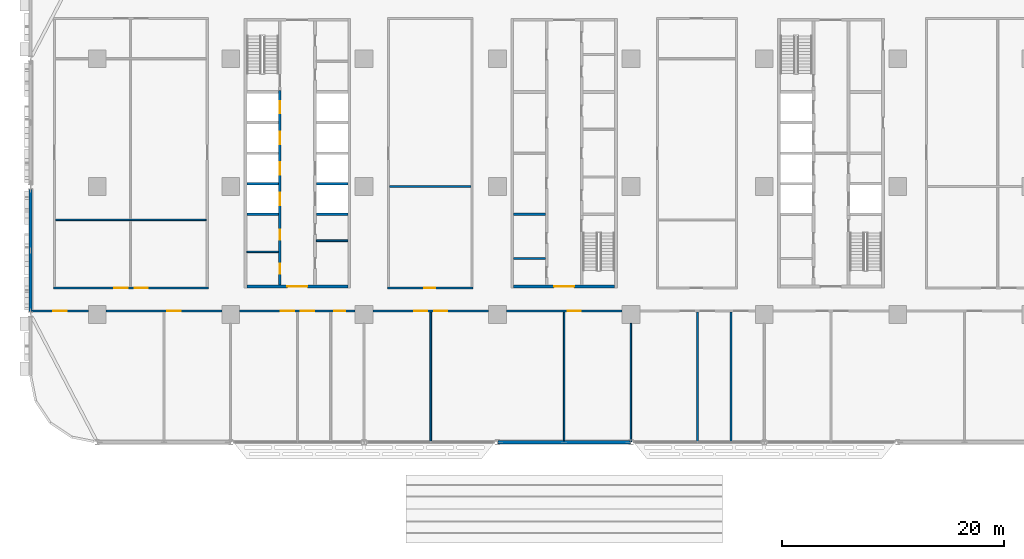
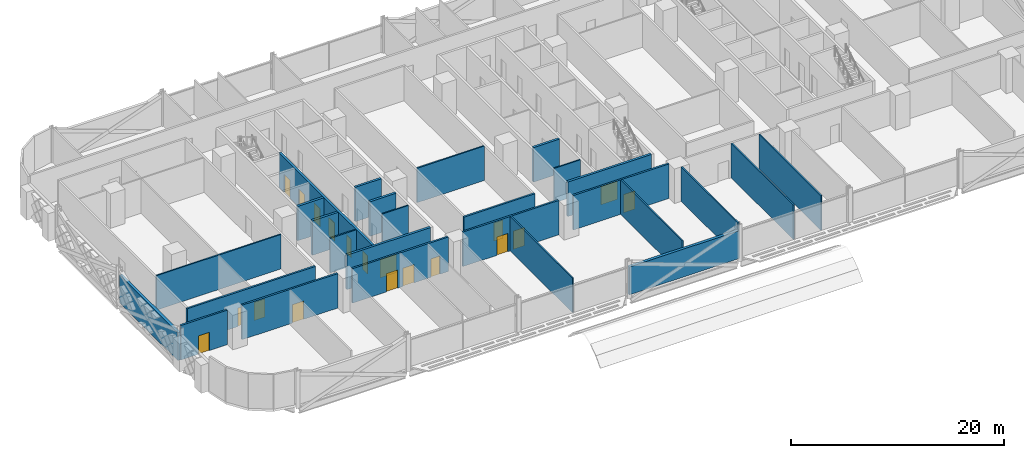
# One storey, part 9 of 26: 27 walls, 19 doors, 19 openings.
"""IFC4 building model written with IfcOpenShell, lengths in metres."""

from ifc_helpers import new_model, si_unit, direction, frame, frame_2d, origin, place, context, subcontext, project, spatial, rectangle, extrude, material, layer, layer_set, type_object, element, fill, save


model = new_model("IFC4")

# Units and contexts
model_context = context("Model", 3, precision=1e-05, world=origin(), true_north=direction((0.0, 1.0)))
body_context = subcontext(model_context, "Body", "Model", "MODEL_VIEW")
ifc_project = project(units=[si_unit("LENGTHUNIT", "METRE"), si_unit("AREAUNIT", "SQUARE_METRE"), si_unit("VOLUMEUNIT", "CUBIC_METRE"), si_unit("PLANEANGLEUNIT", "RADIAN"), si_unit("MASSUNIT", "GRAM", prefix="KILO")], contexts=[model_context])

# Site, building, storey
site_placement = place(None, origin())
site = spatial("IfcSite", under=ifc_project, at=site_placement, CompositionType="ELEMENT")
building_placement = place(site_placement, origin())
building = spatial("IfcBuilding", under=site, at=building_placement, Name="Mahtab Terrace Research Tower", CompositionType="ELEMENT")
storey_placement = place(building_placement, frame((0.0, 0.0, 15.800048828125)))
storey = spatial("IfcBuildingStorey", under=building, at=storey_placement, Name="L03", CompositionType="ELEMENT", Elevation=15.800048828125)

# Walls
ifc_material_1 = material(Name="Gypsum board partition")
ifc_layer_1 = layer(ifc_material_1, 0.14990234375)
ifc_layer_set_1 = layer_set([ifc_layer_1], Name="Core partition 150")
wall_type_1 = type_object("IfcWallType", Name="Core partition 150", PredefinedType="PARTITIONING", material=ifc_layer_set_1)
for number, where, z_axis, x_axis, name in (
    (1, (-28.550048828125, -5.875, 0.0), (0.0, 0.0, 1.0), (1.0, 0.0, 0.0), "Core wall A pWS-888"),
    (2, (-22.300048828125, -4.875, 0.0), (0.0, 0.0, 1.0), (1.0, 0.0, 0.0), "Core wall A pES-788"),
    (3, (-4.550048828125, -6.47509765625, 0.0), (0.0, 0.0, 1.0), (1.0, 0.0, 0.0), "Core wall B pWS-948"),
):
    element("IfcWall", number, at=place(storey_placement, frame(where, z_axis=z_axis, x_axis=x_axis)), inside=storey, type_object=wall_type_1, Name=name, PredefinedType="PARTITIONING", context=body_context, shape_type="SweptSolid", body=[
        extrude(rectangle(XDim=2.85009765625, YDim=0.14990234375, at=frame_2d((1.425048828125, 0.0))), origin(), (0.0, 0.0, 1.0), 3.9599609375),
    ])

# Wall, opening, door
ifc_material_2 = material(Name="Concrete C70/85", Category="concrete")
ifc_layer_2 = layer(ifc_material_2, 0.25)
ifc_layer_set_2 = layer_set([ifc_layer_2], Name="Core wall 250")
wall_type_2 = type_object("IfcWallType", Name="Core wall 250", PredefinedType="SOLIDWALL", material=ifc_layer_set_2)
wall_1_placement = place(storey_placement, frame((-19.449951171875, -9.0, 0.0), z_axis=(0.0, 0.0, 1.0), x_axis=(-1.0, 0.0, 0.0)))
wall_1 = element("IfcWall", 4, at=wall_1_placement, inside=storey, type_object=wall_type_2, Name="Core wall A endS", PredefinedType="SOLIDWALL", context=body_context, shape_type="SweptSolid", body=[
    extrude(rectangle(XDim=9.10009765625, YDim=0.25, at=frame_2d((4.550048828125, 0.0))), origin(), (0.0, 0.0, 1.0), 3.9599609375),
])
opening_1_placement = place(wall_1_placement, frame((3.64990234375, 0.0, 0.0)))
opening_1 = element("IfcOpeningElement", 5, at=opening_1_placement, cuts=wall_1, Name="Opening A-S1", PredefinedType="OPENING", context=body_context, shape_type="SweptSolid", body=[
    extrude(rectangle(XDim=1.800048828125, YDim=2.10009765625, at=frame_2d((0.89990234375, 1.050048828125))), frame((0.0, 0.135009765625, 0.0), z_axis=(0.0, -1.0, 0.0), x_axis=(1.0, 0.0, 0.0)), (0.0, 0.0, 1.0), 0.27001953125),
])
ifc_material_3 = material(Name="Steel fire door", Category="steel")
door_type_1 = type_object("IfcDoorType", Name="Lobby double door 1800x2100 1 HR", OperationType="DOUBLE_DOOR_SINGLE_SWING", PredefinedType="DOOR", material=ifc_material_3)
door_1_placement = place(opening_1_placement, origin())
door_1 = element("IfcDoor", 6, at=door_1_placement, inside=storey, type_object=door_type_1, Name="Core entrance door A S", OperationType="DOUBLE_DOOR_SINGLE_SWING", OverallHeight=2.10009765625, OverallWidth=1.800048828125, PredefinedType="DOOR", context=body_context, shape_type="SweptSolid", body=[
    extrude(rectangle(XDim=1.800048828125, YDim=2.10009765625, at=frame_2d((0.89990234375, 1.050048828125))), frame((0.0, 0.02490234375, 0.0), z_axis=(0.0, -1.0, 0.0), x_axis=(1.0, 0.0, 0.0)), (0.0, 0.0, 1.0), 0.050048828125),
])
fill(opening_1, door_1)

# Wall, openings, doors
wall_2_placement = place(storey_placement, frame((-25.574951171875, -8.875, 0.0), z_axis=(0.0, 0.0, 1.0), x_axis=(0.0, 1.0, 0.0)))
wall_2 = element("IfcWall", 7, at=wall_2_placement, inside=storey, type_object=wall_type_2, Name="Core wall A innerWSL", PredefinedType="SOLIDWALL", context=body_context, shape_type="SweptSolid", body=[
    extrude(rectangle(XDim=17.5, YDim=0.25, at=frame_2d((8.75, 0.0))), origin(), (0.0, 0.0, 1.0), 3.9599609375),
])
opening_2_placement = place(wall_2_placement, frame((7.199951171875, 0.0, 0.0)))
opening_2 = element("IfcOpeningElement", 8, at=opening_2_placement, cuts=wall_2, Name="Opening LD01-L03", PredefinedType="OPENING", context=body_context, shape_type="SweptSolid", body=[
    extrude(rectangle(XDim=1.10009765625, YDim=2.10009765625, at=frame_2d((0.550048828125, 1.050048828125))), frame((0.0, 0.135009765625, 0.0), z_axis=(0.0, -1.0, 0.0), x_axis=(1.0, 0.0, 0.0)), (0.0, 0.0, 1.0), 0.27001953125),
])
opening_3_placement = place(wall_2_placement, frame((9.949951171875, 0.0, 0.0)))
opening_3 = element("IfcOpeningElement", 9, at=opening_3_placement, cuts=wall_2, Name="Opening LD02-L03", PredefinedType="OPENING", context=body_context, shape_type="SweptSolid", body=[
    extrude(rectangle(XDim=1.10009765625, YDim=2.10009765625, at=frame_2d((0.550048828125, 1.050048828125))), frame((0.0, 0.135009765625, 0.0), z_axis=(0.0, -1.0, 0.0), x_axis=(1.0, 0.0, 0.0)), (0.0, 0.0, 1.0), 0.27001953125),
])
opening_4_placement = place(wall_2_placement, frame((12.699951171875, 0.0, 0.0)))
opening_4 = element("IfcOpeningElement", 10, at=opening_4_placement, cuts=wall_2, Name="Opening LD03-L03", PredefinedType="OPENING", context=body_context, shape_type="SweptSolid", body=[
    extrude(rectangle(XDim=1.10009765625, YDim=2.10009765625, at=frame_2d((0.550048828125, 1.050048828125))), frame((0.0, 0.135009765625, 0.0), z_axis=(0.0, -1.0, 0.0), x_axis=(1.0, 0.0, 0.0)), (0.0, 0.0, 1.0), 0.27001953125),
])
opening_5_placement = place(wall_2_placement, frame((15.449951171875, 0.0, 0.0)))
opening_5 = element("IfcOpeningElement", 11, at=opening_5_placement, cuts=wall_2, Name="Opening LD04-L03", PredefinedType="OPENING", context=body_context, shape_type="SweptSolid", body=[
    extrude(rectangle(XDim=1.10009765625, YDim=2.10009765625, at=frame_2d((0.550048828125, 1.050048828125))), frame((0.0, 0.135009765625, 0.0), z_axis=(0.0, -1.0, 0.0), x_axis=(1.0, 0.0, 0.0)), (0.0, 0.0, 1.0), 0.27001953125),
])
opening_6_placement = place(wall_2_placement, frame((1.012451171875, 0.0, 0.0)))
opening_6 = element("IfcOpeningElement", 12, at=opening_6_placement, cuts=wall_2, Name="Opening A-R1", PredefinedType="OPENING", context=body_context, shape_type="SweptSolid", body=[
    extrude(rectangle(XDim=0.89990234375, YDim=2.10009765625, at=frame_2d((0.449951171875, 1.050048828125))), frame((0.0, 0.135009765625, 0.0), z_axis=(0.0, -1.0, 0.0), x_axis=(1.0, 0.0, 0.0)), (0.0, 0.0, 1.0), 0.27001953125),
])
opening_7_placement = place(wall_2_placement, frame((4.08740234375, 0.0, 0.0)))
opening_7 = element("IfcOpeningElement", 13, at=opening_7_placement, cuts=wall_2, Name="Opening A-R2", PredefinedType="OPENING", context=body_context, shape_type="SweptSolid", body=[
    extrude(rectangle(XDim=0.89990234375, YDim=2.10009765625, at=frame_2d((0.449951171875, 1.050048828125))), frame((0.0, 0.135009765625, 0.0), z_axis=(0.0, -1.0, 0.0), x_axis=(1.0, 0.0, 0.0)), (0.0, 0.0, 1.0), 0.27001953125),
])
ifc_material_4 = material(Name="Stainless steel AISI 304", Category="steel")
door_type_2 = type_object("IfcDoorType", Name="Landing door 1100x2100", OperationType="DOUBLE_DOOR_SLIDING", PredefinedType="DOOR", material=ifc_material_4)
door_2_placement = place(opening_2_placement, origin())
door_2 = element("IfcDoor", 14, at=door_2_placement, inside=storey, type_object=door_type_2, Name="Landing door LR1 L03", OperationType="DOUBLE_DOOR_SLIDING", OverallHeight=2.10009765625, OverallWidth=1.10009765625, PredefinedType="DOOR", context=body_context, shape_type="SweptSolid", body=[
    extrude(rectangle(XDim=1.10009765625, YDim=2.10009765625, at=frame_2d((0.550048828125, 1.050048828125))), frame((0.0, 0.02490234375, 0.0), z_axis=(0.0, -1.0, 0.0), x_axis=(1.0, 0.0, 0.0)), (0.0, 0.0, 1.0), 0.050048828125),
])
fill(opening_2, door_2)
door_3_placement = place(opening_3_placement, origin())
door_3 = element("IfcDoor", 15, at=door_3_placement, inside=storey, type_object=door_type_2, Name="Landing door LR2 L03", OperationType="DOUBLE_DOOR_SLIDING", OverallHeight=2.10009765625, OverallWidth=1.10009765625, PredefinedType="DOOR", context=body_context, shape_type="SweptSolid", body=[
    extrude(rectangle(XDim=1.10009765625, YDim=2.10009765625, at=frame_2d((0.550048828125, 1.050048828125))), frame((0.0, 0.02490234375, 0.0), z_axis=(0.0, -1.0, 0.0), x_axis=(1.0, 0.0, 0.0)), (0.0, 0.0, 1.0), 0.050048828125),
])
fill(opening_3, door_3)
door_4_placement = place(opening_4_placement, origin())
door_4 = element("IfcDoor", 16, at=door_4_placement, inside=storey, type_object=door_type_2, Name="Landing door LR3 L03", OperationType="DOUBLE_DOOR_SLIDING", OverallHeight=2.10009765625, OverallWidth=1.10009765625, PredefinedType="DOOR", context=body_context, shape_type="SweptSolid", body=[
    extrude(rectangle(XDim=1.10009765625, YDim=2.10009765625, at=frame_2d((0.550048828125, 1.050048828125))), frame((0.0, 0.02490234375, 0.0), z_axis=(0.0, -1.0, 0.0), x_axis=(1.0, 0.0, 0.0)), (0.0, 0.0, 1.0), 0.050048828125),
])
fill(opening_4, door_4)
door_5_placement = place(opening_5_placement, origin())
door_5 = element("IfcDoor", 17, at=door_5_placement, inside=storey, type_object=door_type_2, Name="Landing door LR4 L03", OperationType="DOUBLE_DOOR_SLIDING", OverallHeight=2.10009765625, OverallWidth=1.10009765625, PredefinedType="DOOR", context=body_context, shape_type="SweptSolid", body=[
    extrude(rectangle(XDim=1.10009765625, YDim=2.10009765625, at=frame_2d((0.550048828125, 1.050048828125))), frame((0.0, 0.02490234375, 0.0), z_axis=(0.0, -1.0, 0.0), x_axis=(1.0, 0.0, 0.0)), (0.0, 0.0, 1.0), 0.050048828125),
])
fill(opening_5, door_5)
door_type_3 = type_object("IfcDoorType", Name="Room door 900x2100 1 HR", OperationType="NOTDEFINED", PredefinedType="DOOR", material=ifc_material_3)
door_6_placement = place(opening_6_placement, origin())
door_6 = element("IfcDoor", 18, at=door_6_placement, inside=storey, type_object=door_type_3, Name="Staff WC door", OperationType="SINGLE_SWING_LEFT", OverallHeight=2.10009765625, OverallWidth=0.89990234375, PredefinedType="DOOR", context=body_context, shape_type="SweptSolid", body=[
    extrude(rectangle(XDim=0.89990234375, YDim=2.10009765625, at=frame_2d((0.449951171875, 1.050048828125))), frame((0.0, 0.02490234375, 0.0), z_axis=(0.0, -1.0, 0.0), x_axis=(1.0, 0.0, 0.0)), (0.0, 0.0, 1.0), 0.050048828125),
])
fill(opening_6, door_6)
door_7_placement = place(opening_7_placement, origin())
door_7 = element("IfcDoor", 19, at=door_7_placement, inside=storey, type_object=door_type_3, Name="Accessible WC door", OperationType="SINGLE_SWING_RIGHT", OverallHeight=2.10009765625, OverallWidth=0.89990234375, PredefinedType="DOOR", context=body_context, shape_type="SweptSolid", body=[
    extrude(rectangle(XDim=0.89990234375, YDim=2.10009765625, at=frame_2d((0.449951171875, 1.050048828125))), frame((0.0, 0.02490234375, 0.0), z_axis=(0.0, -1.0, 0.0), x_axis=(1.0, 0.0, 0.0)), (0.0, 0.0, 1.0), 0.050048828125),
])
fill(opening_7, door_7)

# Walls
for number, where, z_axis, x_axis, name in (
    (20, (-28.550048828125, -2.5, 0.0), (0.0, 0.0, 1.0), (1.0, 0.0, 0.0), "Core wall A divW0"),
    (21, (-28.550048828125, 0.25, 0.0), (0.0, 0.0, 1.0), (1.0, 0.0, 0.0), "Core wall A divW1"),
    (22, (-22.300048828125, -2.5, 0.0), (0.0, 0.0, 1.0), (1.0, 0.0, 0.0), "Core wall A divE0"),
    (23, (-22.300048828125, 0.25, 0.0), (0.0, 0.0, 1.0), (1.0, 0.0, 0.0), "Core wall A divE1"),
):
    element("IfcWall", number, at=place(storey_placement, frame(where, z_axis=z_axis, x_axis=x_axis)), inside=storey, type_object=wall_type_2, Name=name, PredefinedType="SOLIDWALL", context=body_context, shape_type="SweptSolid", body=[
        extrude(rectangle(XDim=2.85009765625, YDim=0.25, at=frame_2d((1.425048828125, 0.0))), origin(), (0.0, 0.0, 1.0), 3.9599609375),
    ])

# Wall, opening, door
wall_3_placement = place(storey_placement, frame((4.550048828125, -9.0, 0.0), z_axis=(0.0, 0.0, 1.0), x_axis=(-1.0, 0.0, 0.0)))
wall_3 = element("IfcWall", 24, at=wall_3_placement, inside=storey, type_object=wall_type_2, Name="Core wall B endS", PredefinedType="SOLIDWALL", context=body_context, shape_type="SweptSolid", body=[
    extrude(rectangle(XDim=9.10009765625, YDim=0.25, at=frame_2d((4.550048828125, 0.0))), origin(), (0.0, 0.0, 1.0), 3.9599609375),
])
opening_8_placement = place(wall_3_placement, frame((3.64990234375, 0.0, 0.0)))
opening_8 = element("IfcOpeningElement", 25, at=opening_8_placement, cuts=wall_3, Name="Opening B-S1", PredefinedType="OPENING", context=body_context, shape_type="SweptSolid", body=[
    extrude(rectangle(XDim=1.800048828125, YDim=2.10009765625, at=frame_2d((0.89990234375, 1.050048828125))), frame((0.0, 0.135009765625, 0.0), z_axis=(0.0, -1.0, 0.0), x_axis=(1.0, 0.0, 0.0)), (0.0, 0.0, 1.0), 0.27001953125),
])
door_8_placement = place(opening_8_placement, origin())
door_8 = element("IfcDoor", 26, at=door_8_placement, inside=storey, type_object=door_type_1, Name="Core entrance door B S", OperationType="DOUBLE_DOOR_SINGLE_SWING", OverallHeight=2.10009765625, OverallWidth=1.800048828125, PredefinedType="DOOR", context=body_context, shape_type="SweptSolid", body=[
    extrude(rectangle(XDim=1.800048828125, YDim=2.10009765625, at=frame_2d((0.89990234375, 1.050048828125))), frame((0.0, 0.02490234375, 0.0), z_axis=(0.0, -1.0, 0.0), x_axis=(1.0, 0.0, 0.0)), (0.0, 0.0, 1.0), 0.050048828125),
])
fill(opening_8, door_8)

# Walls
wall_4_placement = place(storey_placement, frame((-4.550048828125, -2.5, 0.0), z_axis=(0.0, 0.0, 1.0), x_axis=(1.0, 0.0, 0.0)))
element("IfcWall", 27, at=wall_4_placement, inside=storey, type_object=wall_type_2, Name="Core wall B divW0", PredefinedType="SOLIDWALL", context=body_context, shape_type="SweptSolid", body=[
    extrude(rectangle(XDim=2.85009765625, YDim=0.25, at=frame_2d((1.425048828125, 0.0))), origin(), (0.0, 0.0, 1.0), 3.9599609375),
])
ifc_material_5 = material(Name="Black aluminium cladding panel", Category="aluminium")
ifc_layer_3 = layer(ifc_material_5, 0.300048828125)
ifc_layer_set_3 = layer_set([ifc_layer_3], Name="Opaque facade wall 300")
wall_type_3 = type_object("IfcWallType", Name="Opaque facade wall 300", PredefinedType="NOTDEFINED", material=ifc_layer_set_3)
wall_5_placement = place(storey_placement, frame((-48.0, -0.2490234375, 0.0), z_axis=(0.0, 0.0, 1.0), x_axis=(0.0, -1.0, 0.0)))
element("IfcWall", 28, at=wall_5_placement, inside=storey, type_object=wall_type_3, Name="Opaque facade wall L03 W16", PredefinedType="NOTDEFINED", context=body_context, shape_type="SweptSolid", body=[
    extrude(rectangle(XDim=11.001953125, YDim=0.300048828125, at=frame_2d((5.5009765625, 0.0))), origin(), (0.0, 0.0, 1.0), 3.203125),
])
wall_6_placement = place(storey_placement, frame((-5.97216796875, -23.0, 0.0), z_axis=(0.0, 0.0, 1.0), x_axis=(1.0, 0.0, 0.0)))
element("IfcWall", 29, at=wall_6_placement, inside=storey, type_object=wall_type_3, Name="Opaque facade wall L03 S25", PredefinedType="NOTDEFINED", context=body_context, shape_type="SweptSolid", body=[
    extrude(rectangle(XDim=11.9443359375, YDim=0.300048828125, at=frame_2d((5.97216796875, 0.0))), origin(), (0.0, 0.0, 1.0), 3.203125),
])

# Wall, opening, door
ifc_material_6 = material(Name="Gypsum board corridor wall on steel studs", Category="steel")
ifc_layer_4 = layer(ifc_material_6, 0.199951171875)
ifc_layer_set_4 = layer_set([ifc_layer_4], Name="WALL CORRIDOR 200")
wall_type_4 = type_object("IfcWallType", Name="WALL CORRIDOR 200", PredefinedType="PARTITIONING", material=ifc_layer_set_4)
wall_7_placement = place(storey_placement, frame((-47.85009765625, -11.199951171875, 0.0), z_axis=(0.0, 0.0, 1.0), x_axis=(1.0, 0.0, 0.0)))
wall_7 = element("IfcWall", 30, at=wall_7_placement, inside=storey, type_object=wall_type_4, Name="L03-W001", PredefinedType="PARTITIONING", context=body_context, shape_type="SweptSolid", body=[
    extrude(rectangle(XDim=5.050048828125, YDim=0.199951171875, at=frame_2d((2.52490234375, 0.0))), origin(), (0.0, 0.0, 1.0), 3.9599609375),
])
opening_9_placement = place(wall_7_placement, frame((1.89990234375, 0.0, 0.0)))
opening_9 = element("IfcOpeningElement", 31, at=opening_9_placement, cuts=wall_7, Name="Opening L03-101", PredefinedType="OPENING", context=body_context, shape_type="SweptSolid", body=[
    extrude(rectangle(XDim=1.199951171875, YDim=2.10009765625, at=frame_2d((0.60009765625, 1.050048828125))), frame((0.0, 0.10986328125, 0.0), z_axis=(0.0, -1.0, 0.0), x_axis=(1.0, 0.0, 0.0)), (0.0, 0.0, 1.0), 0.219970703125),
])
ifc_material_7 = material(Name="Timber door leaf in steel frame", Category="steel")
door_type_4 = type_object("IfcDoorType", Name="DOOR 1200X2100 FD30S", OperationType="SINGLE_SWING_LEFT", PredefinedType="DOOR", material=ifc_material_7)
door_9_placement = place(opening_9_placement, origin())
door_9 = element("IfcDoor", 32, at=door_9_placement, inside=storey, type_object=door_type_4, Name="Door L03-101", OperationType="SINGLE_SWING_RIGHT", OverallHeight=2.10009765625, OverallWidth=1.199951171875, PredefinedType="DOOR", context=body_context, shape_type="SweptSolid", body=[
    extrude(rectangle(XDim=1.199951171875, YDim=2.10009765625, at=frame_2d((0.60009765625, 1.050048828125))), frame((0.0, 0.02490234375, 0.0), z_axis=(0.0, -1.0, 0.0), x_axis=(1.0, 0.0, 0.0)), (0.0, 0.0, 1.0), 0.050048828125),
])
fill(opening_9, door_9)

wall_8_placement = place(storey_placement, frame((-41.199951171875, -11.199951171875, 0.0), z_axis=(0.0, 0.0, 1.0), x_axis=(1.0, 0.0, 0.0)))
wall_8 = element("IfcWall", 33, at=wall_8_placement, inside=storey, type_object=wall_type_4, Name="L03-W002", PredefinedType="PARTITIONING", context=body_context, shape_type="SweptSolid", body=[
    extrude(rectangle(XDim=10.39990234375, YDim=0.199951171875, at=frame_2d((5.199951171875, 0.0))), origin(), (0.0, 0.0, 1.0), 3.9599609375),
])
opening_10_placement = place(wall_8_placement, frame((5.5, 0.0, 0.0)))
opening_10 = element("IfcOpeningElement", 34, at=opening_10_placement, cuts=wall_8, Name="Opening L03-102", PredefinedType="OPENING", context=body_context, shape_type="SweptSolid", body=[
    extrude(rectangle(XDim=1.199951171875, YDim=2.10009765625, at=frame_2d((0.60009765625, 1.050048828125))), frame((0.0, 0.10986328125, 0.0), z_axis=(0.0, -1.0, 0.0), x_axis=(1.0, 0.0, 0.0)), (0.0, 0.0, 1.0), 0.219970703125),
])
door_10_placement = place(opening_10_placement, origin())
door_10 = element("IfcDoor", 35, at=door_10_placement, inside=storey, type_object=door_type_4, Name="Door L03-102", OperationType="SINGLE_SWING_LEFT", OverallHeight=2.10009765625, OverallWidth=1.199951171875, PredefinedType="DOOR", context=body_context, shape_type="SweptSolid", body=[
    extrude(rectangle(XDim=1.199951171875, YDim=2.10009765625, at=frame_2d((0.60009765625, 1.050048828125))), frame((0.0, 0.02490234375, 0.0), z_axis=(0.0, -1.0, 0.0), x_axis=(1.0, 0.0, 0.0)), (0.0, 0.0, 1.0), 0.050048828125),
])
fill(opening_10, door_10)

# Wall, openings, doors
wall_9_placement = place(storey_placement, frame((-29.199951171875, -11.199951171875, 0.0), z_axis=(0.0, 0.0, 1.0), x_axis=(1.0, 0.0, 0.0)))
wall_9 = element("IfcWall", 36, at=wall_9_placement, inside=storey, type_object=wall_type_4, Name="L03-W003", PredefinedType="PARTITIONING", context=body_context, shape_type="SweptSolid", body=[
    extrude(rectangle(XDim=10.39990234375, YDim=0.199951171875, at=frame_2d((5.199951171875, 0.0))), origin(), (0.0, 0.0, 1.0), 3.9599609375),
])
opening_11_placement = place(wall_9_placement, frame((3.699951171875, 0.0, 0.0)))
opening_11 = element("IfcOpeningElement", 37, at=opening_11_placement, cuts=wall_9, Name="Opening L03-103", PredefinedType="OPENING", context=body_context, shape_type="SweptSolid", body=[
    extrude(rectangle(XDim=1.199951171875, YDim=2.10009765625, at=frame_2d((0.60009765625, 1.050048828125))), frame((0.0, 0.10986328125, 0.0), z_axis=(0.0, -1.0, 0.0), x_axis=(1.0, 0.0, 0.0)), (0.0, 0.0, 1.0), 0.219970703125),
])
opening_12_placement = place(wall_9_placement, frame((5.5, 0.0, 0.0)))
opening_12 = element("IfcOpeningElement", 38, at=opening_12_placement, cuts=wall_9, Name="Opening L03-104", PredefinedType="OPENING", context=body_context, shape_type="SweptSolid", body=[
    extrude(rectangle(XDim=1.199951171875, YDim=2.10009765625, at=frame_2d((0.60009765625, 1.050048828125))), frame((0.0, 0.10986328125, 0.0), z_axis=(0.0, -1.0, 0.0), x_axis=(1.0, 0.0, 0.0)), (0.0, 0.0, 1.0), 0.219970703125),
])
opening_13_placement = place(wall_9_placement, frame((8.5, 0.0, 0.0)))
opening_13 = element("IfcOpeningElement", 39, at=opening_13_placement, cuts=wall_9, Name="Opening L03-105", PredefinedType="OPENING", context=body_context, shape_type="SweptSolid", body=[
    extrude(rectangle(XDim=1.0, YDim=2.10009765625, at=frame_2d((0.5, 1.050048828125))), frame((0.0, 0.10986328125, 0.0), z_axis=(0.0, -1.0, 0.0), x_axis=(1.0, 0.0, 0.0)), (0.0, 0.0, 1.0), 0.219970703125),
])
door_type_5 = type_object("IfcDoorType", Name="DOOR 1000X2100 FD30S", OperationType="SINGLE_SWING_LEFT", PredefinedType="DOOR", material=ifc_material_7)
door_11_placement = place(opening_13_placement, origin())
door_11 = element("IfcDoor", 40, at=door_11_placement, inside=storey, type_object=door_type_5, Name="Door L03-105", OperationType="SINGLE_SWING_LEFT", OverallHeight=2.10009765625, OverallWidth=1.0, PredefinedType="DOOR", context=body_context, shape_type="SweptSolid", body=[
    extrude(rectangle(XDim=1.0, YDim=2.10009765625, at=frame_2d((0.5, 1.050048828125))), frame((0.0, 0.02490234375, 0.0), z_axis=(0.0, -1.0, 0.0), x_axis=(1.0, 0.0, 0.0)), (0.0, 0.0, 1.0), 0.050048828125),
])
fill(opening_13, door_11)
door_12_placement = place(opening_11_placement, origin())
door_12 = element("IfcDoor", 41, at=door_12_placement, inside=storey, type_object=door_type_4, Name="Door L03-103", OperationType="SINGLE_SWING_RIGHT", OverallHeight=2.10009765625, OverallWidth=1.199951171875, PredefinedType="DOOR", context=body_context, shape_type="SweptSolid", body=[
    extrude(rectangle(XDim=1.199951171875, YDim=2.10009765625, at=frame_2d((0.60009765625, 1.050048828125))), frame((0.0, 0.02490234375, 0.0), z_axis=(0.0, -1.0, 0.0), x_axis=(1.0, 0.0, 0.0)), (0.0, 0.0, 1.0), 0.050048828125),
])
fill(opening_11, door_12)
door_13_placement = place(opening_12_placement, origin())
door_13 = element("IfcDoor", 42, at=door_13_placement, inside=storey, type_object=door_type_4, Name="Door L03-104", OperationType="SINGLE_SWING_LEFT", OverallHeight=2.10009765625, OverallWidth=1.199951171875, PredefinedType="DOOR", context=body_context, shape_type="SweptSolid", body=[
    extrude(rectangle(XDim=1.199951171875, YDim=2.10009765625, at=frame_2d((0.60009765625, 1.050048828125))), frame((0.0, 0.02490234375, 0.0), z_axis=(0.0, -1.0, 0.0), x_axis=(1.0, 0.0, 0.0)), (0.0, 0.0, 1.0), 0.050048828125),
])
fill(opening_12, door_13)

wall_10_placement = place(storey_placement, frame((-17.199951171875, -11.199951171875, 0.0), z_axis=(0.0, 0.0, 1.0), x_axis=(1.0, 0.0, 0.0)))
wall_10 = element("IfcWall", 43, at=wall_10_placement, inside=storey, type_object=wall_type_4, Name="L03-W004", PredefinedType="PARTITIONING", context=body_context, shape_type="SweptSolid", body=[
    extrude(rectangle(XDim=10.39990234375, YDim=0.199951171875, at=frame_2d((5.199951171875, 0.0))), origin(), (0.0, 0.0, 1.0), 3.9599609375),
])
opening_14_placement = place(wall_10_placement, frame((3.699951171875, 0.0, 0.0)))
opening_14 = element("IfcOpeningElement", 44, at=opening_14_placement, cuts=wall_10, Name="Opening L03-106", PredefinedType="OPENING", context=body_context, shape_type="SweptSolid", body=[
    extrude(rectangle(XDim=1.199951171875, YDim=2.10009765625, at=frame_2d((0.60009765625, 1.050048828125))), frame((0.0, 0.10986328125, 0.0), z_axis=(0.0, -1.0, 0.0), x_axis=(1.0, 0.0, 0.0)), (0.0, 0.0, 1.0), 0.219970703125),
])
opening_15_placement = place(wall_10_placement, frame((5.5, 0.0, 0.0)))
opening_15 = element("IfcOpeningElement", 45, at=opening_15_placement, cuts=wall_10, Name="Opening L03-107", PredefinedType="OPENING", context=body_context, shape_type="SweptSolid", body=[
    extrude(rectangle(XDim=1.199951171875, YDim=2.10009765625, at=frame_2d((0.60009765625, 1.050048828125))), frame((0.0, 0.10986328125, 0.0), z_axis=(0.0, -1.0, 0.0), x_axis=(1.0, 0.0, 0.0)), (0.0, 0.0, 1.0), 0.219970703125),
])
door_14_placement = place(opening_14_placement, origin())
door_14 = element("IfcDoor", 46, at=door_14_placement, inside=storey, type_object=door_type_4, Name="Door L03-106", OperationType="SINGLE_SWING_RIGHT", OverallHeight=2.10009765625, OverallWidth=1.199951171875, PredefinedType="DOOR", context=body_context, shape_type="SweptSolid", body=[
    extrude(rectangle(XDim=1.199951171875, YDim=2.10009765625, at=frame_2d((0.60009765625, 1.050048828125))), frame((0.0, 0.02490234375, 0.0), z_axis=(0.0, -1.0, 0.0), x_axis=(1.0, 0.0, 0.0)), (0.0, 0.0, 1.0), 0.050048828125),
])
fill(opening_14, door_14)
door_15_placement = place(opening_15_placement, origin())
door_15 = element("IfcDoor", 47, at=door_15_placement, inside=storey, type_object=door_type_4, Name="Door L03-107", OperationType="SINGLE_SWING_LEFT", OverallHeight=2.10009765625, OverallWidth=1.199951171875, PredefinedType="DOOR", context=body_context, shape_type="SweptSolid", body=[
    extrude(rectangle(XDim=1.199951171875, YDim=2.10009765625, at=frame_2d((0.60009765625, 1.050048828125))), frame((0.0, 0.02490234375, 0.0), z_axis=(0.0, -1.0, 0.0), x_axis=(1.0, 0.0, 0.0)), (0.0, 0.0, 1.0), 0.050048828125),
])
fill(opening_15, door_15)

# Wall, opening, door
wall_11_placement = place(storey_placement, frame((-5.199951171875, -11.199951171875, 0.0), z_axis=(0.0, 0.0, 1.0), x_axis=(1.0, 0.0, 0.0)))
wall_11 = element("IfcWall", 48, at=wall_11_placement, inside=storey, type_object=wall_type_4, Name="L03-W005", PredefinedType="PARTITIONING", context=body_context, shape_type="SweptSolid", body=[
    extrude(rectangle(XDim=10.39990234375, YDim=0.199951171875, at=frame_2d((5.199951171875, 0.0))), origin(), (0.0, 0.0, 1.0), 3.9599609375),
])
opening_16_placement = place(wall_11_placement, frame((5.5, 0.0, 0.0)))
opening_16 = element("IfcOpeningElement", 49, at=opening_16_placement, cuts=wall_11, Name="Opening L03-108", PredefinedType="OPENING", context=body_context, shape_type="SweptSolid", body=[
    extrude(rectangle(XDim=1.199951171875, YDim=2.10009765625, at=frame_2d((0.60009765625, 1.050048828125))), frame((0.0, 0.10986328125, 0.0), z_axis=(0.0, -1.0, 0.0), x_axis=(1.0, 0.0, 0.0)), (0.0, 0.0, 1.0), 0.219970703125),
])
door_16_placement = place(opening_16_placement, origin())
door_16 = element("IfcDoor", 50, at=door_16_placement, inside=storey, type_object=door_type_4, Name="Door L03-108", OperationType="SINGLE_SWING_LEFT", OverallHeight=2.10009765625, OverallWidth=1.199951171875, PredefinedType="DOOR", context=body_context, shape_type="SweptSolid", body=[
    extrude(rectangle(XDim=1.199951171875, YDim=2.10009765625, at=frame_2d((0.60009765625, 1.050048828125))), frame((0.0, 0.02490234375, 0.0), z_axis=(0.0, -1.0, 0.0), x_axis=(1.0, 0.0, 0.0)), (0.0, 0.0, 1.0), 0.050048828125),
])
fill(opening_16, door_16)

# Wall, openings, doors
wall_12_placement = place(storey_placement, frame((-45.949951171875, -9.125, 0.0), z_axis=(0.0, 0.0, 1.0), x_axis=(1.0, 0.0, 0.0)))
wall_12 = element("IfcWall", 51, at=wall_12_placement, inside=storey, type_object=wall_type_4, Name="L03-W010", PredefinedType="PARTITIONING", context=body_context, shape_type="SweptSolid", body=[
    extrude(rectangle(XDim=13.949951171875, YDim=0.199951171875, at=frame_2d((6.97509765625, 0.0))), origin(), (0.0, 0.0, 1.0), 3.9599609375),
])
opening_17_placement = place(wall_12_placement, frame((5.5, 0.0, 0.0)))
opening_17 = element("IfcOpeningElement", 52, at=opening_17_placement, cuts=wall_12, Name="Opening L03-116", PredefinedType="OPENING", context=body_context, shape_type="SweptSolid", body=[
    extrude(rectangle(XDim=1.199951171875, YDim=2.10009765625, at=frame_2d((0.60009765625, 1.050048828125))), frame((0.0, 0.10986328125, 0.0), z_axis=(0.0, -1.0, 0.0), x_axis=(1.0, 0.0, 0.0)), (0.0, 0.0, 1.0), 0.219970703125),
])
opening_18_placement = place(wall_12_placement, frame((7.300048828125, 0.0, 0.0)))
opening_18 = element("IfcOpeningElement", 53, at=opening_18_placement, cuts=wall_12, Name="Opening L03-117", PredefinedType="OPENING", context=body_context, shape_type="SweptSolid", body=[
    extrude(rectangle(XDim=1.199951171875, YDim=2.10009765625, at=frame_2d((0.60009765625, 1.050048828125))), frame((0.0, 0.10986328125, 0.0), z_axis=(0.0, -1.0, 0.0), x_axis=(1.0, 0.0, 0.0)), (0.0, 0.0, 1.0), 0.219970703125),
])
door_17_placement = place(opening_17_placement, origin())
door_17 = element("IfcDoor", 54, at=door_17_placement, inside=storey, type_object=door_type_4, Name="Door L03-116", OperationType="SINGLE_SWING_LEFT", OverallHeight=2.10009765625, OverallWidth=1.199951171875, PredefinedType="DOOR", context=body_context, shape_type="SweptSolid", body=[
    extrude(rectangle(XDim=1.199951171875, YDim=2.10009765625, at=frame_2d((0.60009765625, 1.050048828125))), frame((0.0, 0.02490234375, 0.0), z_axis=(0.0, -1.0, 0.0), x_axis=(1.0, 0.0, 0.0)), (0.0, 0.0, 1.0), 0.050048828125),
])
fill(opening_17, door_17)
door_18_placement = place(opening_18_placement, origin())
door_18 = element("IfcDoor", 55, at=door_18_placement, inside=storey, type_object=door_type_4, Name="Door L03-117", OperationType="SINGLE_SWING_RIGHT", OverallHeight=2.10009765625, OverallWidth=1.199951171875, PredefinedType="DOOR", context=body_context, shape_type="SweptSolid", body=[
    extrude(rectangle(XDim=1.199951171875, YDim=2.10009765625, at=frame_2d((0.60009765625, 1.050048828125))), frame((0.0, 0.02490234375, 0.0), z_axis=(0.0, -1.0, 0.0), x_axis=(1.0, 0.0, 0.0)), (0.0, 0.0, 1.0), 0.050048828125),
])
fill(opening_18, door_18)

# Wall, opening, door
wall_13_placement = place(storey_placement, frame((-15.89990234375, -9.125, 0.0), z_axis=(0.0, 0.0, 1.0), x_axis=(1.0, 0.0, 0.0)))
wall_13 = element("IfcWall", 56, at=wall_13_placement, inside=storey, type_object=wall_type_4, Name="L03-W011", PredefinedType="PARTITIONING", context=body_context, shape_type="SweptSolid", body=[
    extrude(rectangle(XDim=7.699951171875, YDim=0.199951171875, at=frame_2d((3.85009765625, 0.0))), origin(), (0.0, 0.0, 1.0), 3.9599609375),
])
opening_19_placement = place(wall_13_placement, frame((3.300048828125, 0.0, 0.0)))
opening_19 = element("IfcOpeningElement", 57, at=opening_19_placement, cuts=wall_13, Name="Opening L03-119", PredefinedType="OPENING", context=body_context, shape_type="SweptSolid", body=[
    extrude(rectangle(XDim=1.0, YDim=2.10009765625, at=frame_2d((0.5, 1.050048828125))), frame((0.0, 0.10986328125, 0.0), z_axis=(0.0, -1.0, 0.0), x_axis=(1.0, 0.0, 0.0)), (0.0, 0.0, 1.0), 0.219970703125),
])
door_19_placement = place(opening_19_placement, origin())
door_19 = element("IfcDoor", 58, at=door_19_placement, inside=storey, type_object=door_type_5, Name="Door L03-119", OperationType="SINGLE_SWING_LEFT", OverallHeight=2.10009765625, OverallWidth=1.0, PredefinedType="DOOR", context=body_context, shape_type="SweptSolid", body=[
    extrude(rectangle(XDim=1.0, YDim=2.10009765625, at=frame_2d((0.5, 1.050048828125))), frame((0.0, 0.02490234375, 0.0), z_axis=(0.0, -1.0, 0.0), x_axis=(1.0, 0.0, 0.0)), (0.0, 0.0, 1.0), 0.050048828125),
])
fill(opening_19, door_19)

# Walls
ifc_material_8 = material(Name="Gypsum board partition on steel studs", Category="steel")
ifc_layer_5 = layer(ifc_material_8, 0.14990234375)
ifc_layer_set_5 = layer_set([ifc_layer_5], Name="WALL PARTITION 150")
wall_type_5 = type_object("IfcWallType", Name="WALL PARTITION 150", PredefinedType="PARTITIONING", material=ifc_layer_set_5)
wall_14_placement = place(storey_placement, frame((-45.75, -3.0, 0.0), z_axis=(0.0, 0.0, 1.0), x_axis=(1.0, 0.0, 0.0)))
element("IfcWall", 59, at=wall_14_placement, inside=storey, type_object=wall_type_5, Name="L03-W014", PredefinedType="PARTITIONING", context=body_context, shape_type="SweptSolid", body=[
    extrude(rectangle(XDim=13.550048828125, YDim=0.14990234375, at=frame_2d((6.77490234375, 0.0))), origin(), (0.0, 0.0, 1.0), 3.9599609375),
])
wall_15_placement = place(storey_placement, frame((-15.699951171875, 0.0, 0.0), z_axis=(0.0, 0.0, 1.0), x_axis=(1.0, 0.0, 0.0)))
element("IfcWall", 60, at=wall_15_placement, inside=storey, type_object=wall_type_5, Name="L03-W016", PredefinedType="PARTITIONING", context=body_context, shape_type="SweptSolid", body=[
    extrude(rectangle(XDim=7.300048828125, YDim=0.14990234375, at=frame_2d((3.64990234375, 0.0))), origin(), (0.0, 0.0, 1.0), 3.9599609375),
])
wall_16_placement = place(storey_placement, frame((-12.0, -22.97509765625, 0.0), z_axis=(0.0, 0.0, 1.0), x_axis=(0.0, 1.0, 0.0)))
element("IfcWall", 61, at=wall_16_placement, inside=storey, type_object=wall_type_5, Name="L03-W041", PredefinedType="PARTITIONING", context=body_context, shape_type="SweptSolid", body=[
    extrude(rectangle(XDim=11.675048828125, YDim=0.14990234375, at=frame_2d((5.83740234375, 0.0))), origin(), (0.0, 0.0, 1.0), 3.9599609375),
])
wall_17_placement = place(storey_placement, frame((0.0, -22.85009765625, 0.0), z_axis=(0.0, 0.0, 1.0), x_axis=(0.0, 1.0, 0.0)))
element("IfcWall", 62, at=wall_17_placement, inside=storey, type_object=wall_type_5, Name="L03-W045", PredefinedType="PARTITIONING", context=body_context, shape_type="SweptSolid", body=[
    extrude(rectangle(XDim=11.550048828125, YDim=0.14990234375, at=frame_2d((5.77490234375, 0.0))), origin(), (0.0, 0.0, 1.0), 3.9599609375),
])
wall_18_placement = place(storey_placement, frame((6.0, -22.97509765625, 0.0), z_axis=(0.0, 0.0, 1.0), x_axis=(0.0, 1.0, 0.0)))
element("IfcWall", 63, at=wall_18_placement, inside=storey, type_object=wall_type_5, Name="L03-W047", PredefinedType="PARTITIONING", context=body_context, shape_type="SweptSolid", body=[
    extrude(rectangle(XDim=10.675048828125, YDim=0.14990234375, at=frame_2d((5.33740234375, 0.0))), origin(), (0.0, 0.0, 1.0), 3.9599609375),
])
for number, where, z_axis, x_axis, name in (
    (64, (12.0, -22.97509765625, 0.0), (0.0, 0.0, 1.0), (0.0, 1.0, 0.0), "L03-W050"),
    (65, (15.0, -22.97509765625, 0.0), (0.0, 0.0, 1.0), (0.0, 1.0, 0.0), "L03-W051"),
):
    element("IfcWall", number, at=place(storey_placement, frame(where, z_axis=z_axis, x_axis=x_axis)), inside=storey, type_object=wall_type_5, Name=name, PredefinedType="PARTITIONING", context=body_context, shape_type="SweptSolid", body=[
        extrude(rectangle(XDim=11.675048828125, YDim=0.14990234375, at=frame_2d((5.83740234375, 0.0))), origin(), (0.0, 0.0, 1.0), 3.9599609375),
    ])

save(model, "model.ifc")
